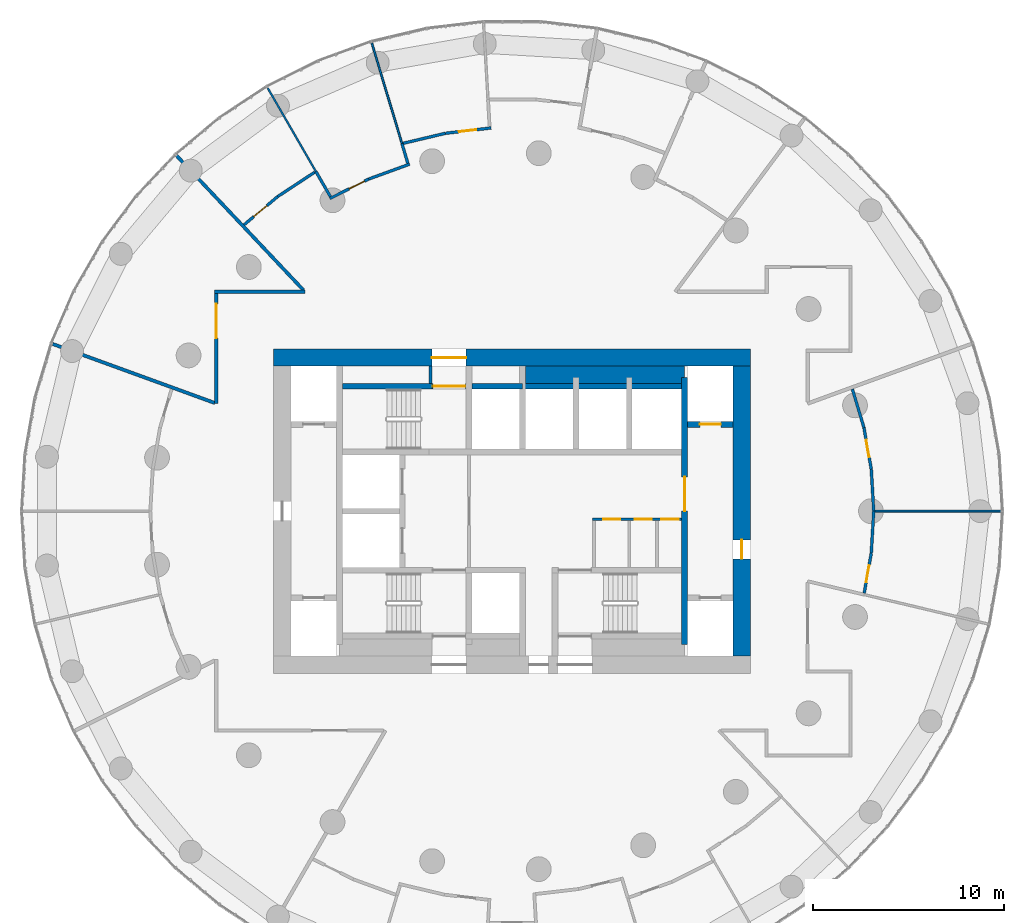
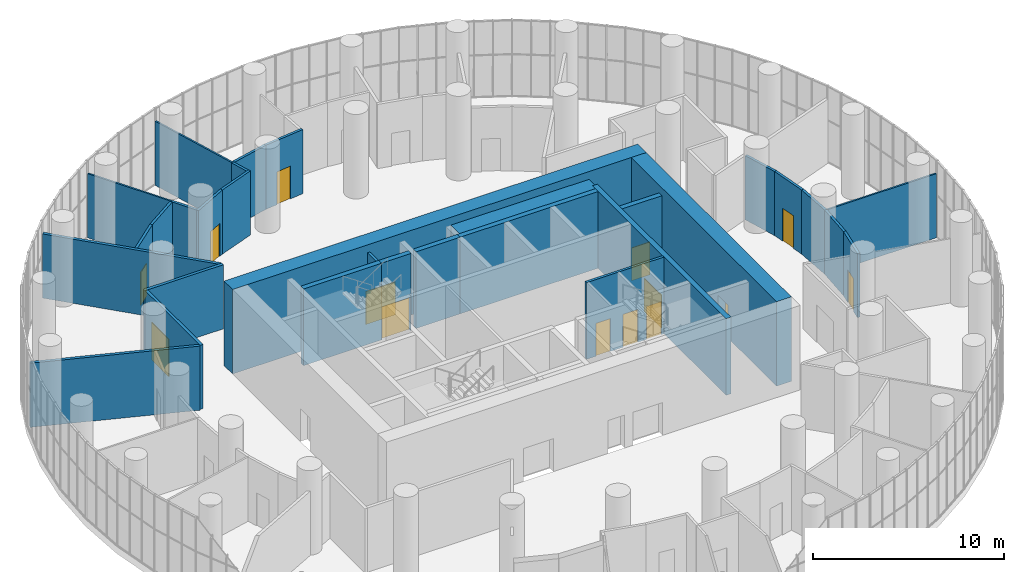
# One storey, part 18 of 21: 31 walls, 14 doors, 14 openings.
"""IFC4 building model written with IfcOpenShell, lengths in metres."""

from ifc_helpers import new_model, si_unit, direction, frame, frame_2d, origin, place, context, subcontext, project, spatial, rectangle, extrude, material, layer, layer_set, type_object, element, fill, save


model = new_model("IFC4")

# Units and contexts
model_context = context("Model", 3, precision=1e-05, world=origin(), true_north=direction((0.0, 1.0)))
body_context = subcontext(model_context, "Body", "Model", "MODEL_VIEW")
ifc_project = project(units=[si_unit("LENGTHUNIT", "METRE"), si_unit("AREAUNIT", "SQUARE_METRE"), si_unit("VOLUMEUNIT", "CUBIC_METRE"), si_unit("PLANEANGLEUNIT", "RADIAN"), si_unit("MASSUNIT", "GRAM", prefix="KILO")], contexts=[model_context])

# Site, building, storey
site_placement = place(None, origin())
site = spatial("IfcSite", under=ifc_project, at=site_placement, CompositionType="ELEMENT")
building_placement = place(site_placement, origin())
building = spatial("IfcBuilding", under=site, at=building_placement, Name="Tracery Tower", CompositionType="ELEMENT")
storey_placement = place(building_placement, frame((0.0, 0.0, 219.60009765625)))
storey = spatial("IfcBuildingStorey", under=building, at=storey_placement, Name="L57", CompositionType="ELEMENT", Elevation=219.60009765625)

# Walls
ifc_material_1 = material(Name="Plasterboard on steel studs", Category="steel")
ifc_layer_1 = layer(ifc_material_1, 0.175048828125)
ifc_layer_set_1 = layer_set([ifc_layer_1], Name="Compartment partition 175")
wall_type_1 = type_object("IfcWallType", Name="Compartment partition 175", PredefinedType="PARTITIONING", material=ifc_layer_set_1)
wall_1_placement = place(storey_placement, frame((-24.081787109375, 8.76513671875, 0.0), z_axis=(0.0, 0.0, 1.0), x_axis=(0.939689290675, -0.342029292591, 0.0)))
element("IfcWall", 1, at=wall_1_placement, inside=storey, type_object=wall_type_1, Name="Compartment partition 175", PredefinedType="PARTITIONING", context=body_context, shape_type="SweptSolid", body=[
    extrude(rectangle(XDim=9.03955078125, YDim=0.175048828125, at=frame_2d((4.519775390625, 0.0))), origin(), (0.0, 0.0, 1.0), 4.099853515625),
])
wall_2_placement = place(storey_placement, frame((-17.586669921875, 18.640625, 0.0), z_axis=(0.0, 0.0, 1.0), x_axis=(0.686237518372, -0.727377528096, 0.0)))
element("IfcWall", 2, at=wall_2_placement, inside=storey, type_object=wall_type_1, Name="Compartment partition 175", PredefinedType="PARTITIONING", context=body_context, shape_type="SweptSolid", body=[
    extrude(rectangle(XDim=9.69677734375, YDim=0.175048828125, at=frame_2d((4.848388671875, 0.0))), origin(), (0.0, 0.0, 1.0), 4.099853515625),
])

# Wall, opening, door
wall_3_placement = place(storey_placement, frame((-15.5, 5.6416015625, 0.0), z_axis=(0.0, 0.0, 1.0), x_axis=(0.0, 1.0, 0.0)))
wall_3 = element("IfcWall", 3, at=wall_3_placement, inside=storey, type_object=wall_type_1, Name="Compartment partition 175", PredefinedType="PARTITIONING", context=body_context, shape_type="SweptSolid", body=[
    extrude(rectangle(XDim=5.77099609375, YDim=0.175048828125, at=frame_2d((2.885498046875, 0.0))), origin(), (0.0, 0.0, 1.0), 4.099853515625),
])
opening_1_placement = place(wall_3_placement, frame((3.42919921875, 0.0, 0.0)))
opening_1 = element("IfcOpeningElement", 4, at=opening_1_placement, cuts=wall_3, Name="Opening SB-L57-10", PredefinedType="OPENING", context=body_context, shape_type="SweptSolid", body=[
    extrude(rectangle(XDim=1.800048828125, YDim=2.39990234375, at=frame_2d((0.89990234375, 1.199951171875))), frame((0.0, 0.08740234375, 0.0), z_axis=(0.0, -1.0, 0.0), x_axis=(1.0, 0.0, 0.0)), (0.0, 0.0, 1.0), 0.175048828125),
])
ifc_material_2 = material(Name="Glazed aluminium door", Category="aluminium")
door_type_1 = type_object("IfcDoorType", Name="Hall double door 1800", OperationType="DOUBLE_DOOR_SINGLE_SWING", PredefinedType="DOOR", material=ifc_material_2)
door_1_placement = place(opening_1_placement, origin())
door_1 = element("IfcDoor", 5, at=door_1_placement, inside=storey, type_object=door_type_1, Name="Hall double door 1800", OperationType="DOUBLE_DOOR_SINGLE_SWING", OverallHeight=2.39990234375, OverallWidth=1.800048828125, PredefinedType="DOOR", context=body_context, shape_type="SweptSolid", body=[
    extrude(rectangle(XDim=1.800048828125, YDim=2.39990234375, at=frame_2d((0.89990234375, 1.199951171875))), frame((0.0, 0.02490234375, 0.0), z_axis=(0.0, -1.0, 0.0), x_axis=(1.0, 0.0, 0.0)), (0.0, 0.0, 1.0), 0.050048828125),
])
fill(opening_1, door_1)

# Walls
wall_4_placement = place(storey_placement, frame((-10.849609375, 11.5, 0.0), z_axis=(0.0, 0.0, 1.0), x_axis=(-1.0, 0.0, 0.0)))
element("IfcWall", 6, at=wall_4_placement, inside=storey, type_object=wall_type_1, Name="Compartment partition 175", PredefinedType="PARTITIONING", context=body_context, shape_type="SweptSolid", body=[
    extrude(rectangle(XDim=4.73779296875, YDim=0.175048828125, at=frame_2d((2.368896484375, 0.0))), origin(), (0.0, 0.0, 1.0), 4.099853515625),
])
ifc_material_3 = material(Name="Plasterboard on steel studs", Category="steel")
ifc_layer_2 = layer(ifc_material_3, 0.14990234375)
ifc_layer_set_2 = layer_set([ifc_layer_2], Name="Core room partition 150")
wall_type_2 = type_object("IfcWallType", Name="Core room partition 150", PredefinedType="SOLIDWALL", material=ifc_layer_set_2)
wall_5_placement = place(storey_placement, frame((-4.27490234375, 6.699951171875, 0.0), z_axis=(0.0, 0.0, 1.0), x_axis=(0.0, 1.0, 0.0)))
element("IfcWall", 7, at=wall_5_placement, inside=storey, type_object=wall_type_2, Name="L57 F N room", PredefinedType="SOLIDWALL", context=body_context, shape_type="SweptSolid", body=[
    extrude(rectangle(XDim=0.900146484375, YDim=0.14990234375, at=frame_2d((0.4501953125, 0.0))), origin(), (0.0, 0.0, 1.0), 4.89990234375),
])

# Wall, openings, doors
wall_6_placement = place(storey_placement, frame((4.22509765625, -0.425048828125, 0.0), z_axis=(0.0, 0.0, 1.0), x_axis=(1.0, 0.0, 0.0)))
wall_6 = element("IfcWall", 8, at=wall_6_placement, inside=storey, type_object=wall_type_2, Name="L57 slot N", PredefinedType="SOLIDWALL", context=body_context, shape_type="SweptSolid", body=[
    extrude(rectangle(XDim=4.6748046875, YDim=0.14990234375, at=frame_2d((2.33740234375, 0.0))), origin(), (0.0, 0.0, 1.0), 4.89990234375),
])
opening_2_placement = place(wall_6_placement, frame((0.550048828125, 0.0, 0.0)))
opening_2 = element("IfcOpeningElement", 9, at=opening_2_placement, cuts=wall_6, Name="Opening KD22", PredefinedType="OPENING", context=body_context, shape_type="SweptSolid", body=[
    extrude(rectangle(XDim=0.89990234375, YDim=2.10009765625, at=frame_2d((0.449951171875, 1.050048828125))), frame((0.0, 0.074951171875, 0.0), z_axis=(0.0, -1.0, 0.0), x_axis=(1.0, 0.0, 0.0)), (0.0, 0.0, 1.0), 0.14990234375),
])
opening_3_placement = place(wall_6_placement, frame((2.199951171875, 0.0, 0.0)))
opening_3 = element("IfcOpeningElement", 10, at=opening_3_placement, cuts=wall_6, Name="Opening KD26", PredefinedType="OPENING", context=body_context, shape_type="SweptSolid", body=[
    extrude(rectangle(XDim=0.89990234375, YDim=2.10009765625, at=frame_2d((0.449951171875, 1.050048828125))), frame((0.0, 0.074951171875, 0.0), z_axis=(0.0, -1.0, 0.0), x_axis=(1.0, 0.0, 0.0)), (0.0, 0.0, 1.0), 0.14990234375),
])
opening_4_placement = place(wall_6_placement, frame((3.612548828125, 0.0, 0.0)))
opening_4 = element("IfcOpeningElement", 11, at=opening_4_placement, cuts=wall_6, Name="Opening KD27", PredefinedType="OPENING", context=body_context, shape_type="SweptSolid", body=[
    extrude(rectangle(XDim=0.89990234375, YDim=2.10009765625, at=frame_2d((0.449951171875, 1.050048828125))), frame((0.0, 0.074951171875, 0.0), z_axis=(0.0, -1.0, 0.0), x_axis=(1.0, 0.0, 0.0)), (0.0, 0.0, 1.0), 0.14990234375),
])
ifc_material_4 = material(Name="Timber door leaf", Category="wood")
door_type_2 = type_object("IfcDoorType", Name="Core WC door 900", OperationType="NOTDEFINED", PredefinedType="DOOR", material=ifc_material_4)
door_2_placement = place(opening_2_placement, origin())
door_2 = element("IfcDoor", 12, at=door_2_placement, inside=storey, type_object=door_type_2, Name="Core door", OperationType="SINGLE_SWING_RIGHT", OverallHeight=2.10009765625, OverallWidth=0.89990234375, PredefinedType="DOOR", context=body_context, shape_type="SweptSolid", body=[
    extrude(rectangle(XDim=0.89990234375, YDim=2.10009765625, at=frame_2d((0.449951171875, 1.050048828125))), frame((0.0, 0.02490234375, 0.0), z_axis=(0.0, -1.0, 0.0), x_axis=(1.0, 0.0, 0.0)), (0.0, 0.0, 1.0), 0.050048828125),
])
fill(opening_2, door_2)
ifc_material_5 = material(Name="Timber door leaf", Category="wood")
door_type_3 = type_object("IfcDoorType", Name="Core store door 900", OperationType="NOTDEFINED", PredefinedType="DOOR", material=ifc_material_5)
door_3_placement = place(opening_3_placement, origin())
door_3 = element("IfcDoor", 13, at=door_3_placement, inside=storey, type_object=door_type_3, Name="Core door", OperationType="SINGLE_SWING_LEFT", OverallHeight=2.10009765625, OverallWidth=0.89990234375, PredefinedType="DOOR", context=body_context, shape_type="SweptSolid", body=[
    extrude(rectangle(XDim=0.89990234375, YDim=2.10009765625, at=frame_2d((0.449951171875, 1.050048828125))), frame((0.0, 0.02490234375, 0.0), z_axis=(0.0, -1.0, 0.0), x_axis=(1.0, 0.0, 0.0)), (0.0, 0.0, 1.0), 0.050048828125),
])
fill(opening_3, door_3)
door_4_placement = place(opening_4_placement, origin())
door_4 = element("IfcDoor", 14, at=door_4_placement, inside=storey, type_object=door_type_3, Name="Core door", OperationType="SINGLE_SWING_RIGHT", OverallHeight=2.10009765625, OverallWidth=0.89990234375, PredefinedType="DOOR", context=body_context, shape_type="SweptSolid", body=[
    extrude(rectangle(XDim=0.89990234375, YDim=2.10009765625, at=frame_2d((0.449951171875, 1.050048828125))), frame((0.0, 0.02490234375, 0.0), z_axis=(0.0, -1.0, 0.0), x_axis=(1.0, 0.0, 0.0)), (0.0, 0.0, 1.0), 0.050048828125),
])
fill(opening_4, door_4)

# Wall
ifc_material_6 = material(Name="Concrete C50/60", Category="concrete")
ifc_layer_3 = layer(ifc_material_6, 0.89990234375)
ifc_layer_set_3 = layer_set([ifc_layer_3], Name="Core strip wall 900 C50")
wall_type_3 = type_object("IfcWallType", Name="Core strip wall 900 C50", PredefinedType="SOLIDWALL", material=ifc_layer_set_3)
wall_7_placement = place(storey_placement, frame((0.699951171875, 7.14990234375, 0.0), z_axis=(0.0, 0.0, 1.0), x_axis=(1.0, 0.0, 0.0)))
element("IfcWall", 15, at=wall_7_placement, inside=storey, type_object=wall_type_3, Name="L57 F thick N E", PredefinedType="SOLIDWALL", context=body_context, shape_type="SweptSolid", body=[
    extrude(rectangle(XDim=8.35009765625, YDim=0.89990234375, at=frame_2d((4.175048828125, 0.0))), origin(), (0.0, 0.0, 1.0), 4.89990234375),
])

# Wall, opening, door
ifc_material_7 = material(Name="Concrete C50/60", Category="concrete")
ifc_layer_4 = layer(ifc_material_7, 0.89990234375)
ifc_layer_set_4 = layer_set([ifc_layer_4], Name="Core wall 900 C50")
wall_type_4 = type_object("IfcWallType", Name="Core wall 900 C50", PredefinedType="SOLIDWALL", material=ifc_layer_set_4)
wall_8_placement = place(storey_placement, frame((-12.5, 8.050048828125, 0.0), z_axis=(0.0, 0.0, 1.0), x_axis=(1.0, 0.0, 0.0)))
wall_8 = element("IfcWall", 16, at=wall_8_placement, inside=storey, type_object=wall_type_4, Name="L57 outer N", PredefinedType="SOLIDWALL", context=body_context, shape_type="SweptSolid", body=[
    extrude(rectangle(XDim=25.0, YDim=0.89990234375, at=frame_2d((12.5, 0.0))), origin(), (0.0, 0.0, 1.0), 5.39990234375),
])
opening_5_placement = place(wall_8_placement, frame((8.300048828125, 0.0, 0.0)))
opening_5 = element("IfcOpeningElement", 17, at=opening_5_placement, cuts=wall_8, Name="Opening KD13", PredefinedType="OPENING", context=body_context, shape_type="SweptSolid", body=[
    extrude(rectangle(XDim=1.800048828125, YDim=2.10009765625, at=frame_2d((0.89990234375, 1.050048828125))), frame((0.0, 0.449951171875, 0.0), z_axis=(0.0, -1.0, 0.0), x_axis=(1.0, 0.0, 0.0)), (0.0, 0.0, 1.0), 0.89990234375),
])
ifc_material_8 = material(Name="Steel fire door", Category="steel")
door_type_4 = type_object("IfcDoorType", Name="Core exit door 1800 double", OperationType="NOTDEFINED", PredefinedType="DOOR", material=ifc_material_8)
door_5_placement = place(opening_5_placement, origin())
door_5 = element("IfcDoor", 18, at=door_5_placement, inside=storey, type_object=door_type_4, Name="Core exit door", OperationType="DOUBLE_DOOR_SINGLE_SWING", OverallHeight=2.10009765625, OverallWidth=1.800048828125, PredefinedType="DOOR", context=body_context, shape_type="SweptSolid", body=[
    extrude(rectangle(XDim=1.800048828125, YDim=2.10009765625, at=frame_2d((0.89990234375, 1.050048828125))), frame((0.0, 0.02490234375, 0.0), z_axis=(0.0, -1.0, 0.0), x_axis=(1.0, 0.0, 0.0)), (0.0, 0.0, 1.0), 0.050048828125),
])
fill(opening_5, door_5)

wall_9_placement = place(storey_placement, frame((12.050048828125, -7.60009765625, 0.0), z_axis=(0.0, 0.0, 1.0), x_axis=(0.0, 1.0, 0.0)))
wall_9 = element("IfcWall", 19, at=wall_9_placement, inside=storey, type_object=wall_type_4, Name="L57 outer E", PredefinedType="SOLIDWALL", context=body_context, shape_type="SweptSolid", body=[
    extrude(rectangle(XDim=15.2001953125, YDim=0.89990234375, at=frame_2d((7.60009765625, 0.0))), origin(), (0.0, 0.0, 1.0), 5.39990234375),
])
opening_6_placement = place(wall_9_placement, frame((5.10009765625, 0.0, 0.0)))
opening_6 = element("IfcOpeningElement", 20, at=opening_6_placement, cuts=wall_9, Name="Opening KD18", PredefinedType="OPENING", context=body_context, shape_type="SweptSolid", body=[
    extrude(rectangle(XDim=1.0, YDim=2.10009765625, at=frame_2d((0.5, 1.050048828125))), frame((0.0, 0.449951171875, 0.0), z_axis=(0.0, -1.0, 0.0), x_axis=(1.0, 0.0, 0.0)), (0.0, 0.0, 1.0), 0.89990234375),
])
ifc_material_9 = material(Name="Steel fire door", Category="steel")
door_type_5 = type_object("IfcDoorType", Name="Core exit door 1000", OperationType="NOTDEFINED", PredefinedType="DOOR", material=ifc_material_9)
door_6_placement = place(opening_6_placement, origin())
door_6 = element("IfcDoor", 21, at=door_6_placement, inside=storey, type_object=door_type_5, Name="Core exit door", OperationType="DOUBLE_DOOR_SINGLE_SWING", OverallHeight=2.10009765625, OverallWidth=1.0, PredefinedType="DOOR", context=body_context, shape_type="SweptSolid", body=[
    extrude(rectangle(XDim=1.0, YDim=2.10009765625, at=frame_2d((0.5, 1.050048828125))), frame((0.0, 0.02490234375, 0.0), z_axis=(0.0, -1.0, 0.0), x_axis=(1.0, 0.0, 0.0)), (0.0, 0.0, 1.0), 0.050048828125),
])
fill(opening_6, door_6)

ifc_material_10 = material(Name="Plasterboard on steel studs", Category="steel")
ifc_layer_5 = layer(ifc_material_10, 0.14990234375)
ifc_layer_set_5 = layer_set([ifc_layer_5], Name="Corridor partition 150")
wall_type_5 = type_object("IfcWallType", Name="Corridor partition 150", PredefinedType="PARTITIONING", material=ifc_layer_set_5)
wall_10_placement = place(storey_placement, frame((-14.04638671875, 15.018798828125, 0.0), z_axis=(0.0, 0.0, 1.0), x_axis=(0.765982646315, 0.642861249061, 0.0)))
wall_10 = element("IfcWall", 22, at=wall_10_placement, inside=storey, type_object=wall_type_5, Name="Corridor partition 150", PredefinedType="PARTITIONING", context=body_context, shape_type="SweptSolid", body=[
    extrude(rectangle(XDim=2.30224609375, YDim=0.14990234375, at=frame_2d((1.151123046875, 0.0))), origin(), (0.0, 0.0, 1.0), 4.099853515625),
])
opening_7_placement = place(wall_10_placement, frame((0.65625, 0.0, 0.0)))
opening_7 = element("IfcOpeningElement", 23, at=opening_7_placement, cuts=wall_10, Name="Opening SB-L57-07", PredefinedType="OPENING", context=body_context, shape_type="SweptSolid", body=[
    extrude(rectangle(XDim=0.89990234375, YDim=2.10009765625, at=frame_2d((0.449951171875, 1.050048828125))), frame((0.0, 0.074951171875, 0.0), z_axis=(0.0, -1.0, 0.0), x_axis=(1.0, 0.0, 0.0)), (0.0, 0.0, 1.0), 0.14990234375),
])
ifc_material_11 = material(Name="Steel fire door", Category="steel")
door_type_6 = type_object("IfcDoorType", Name="Store door 900", OperationType="NOTDEFINED", PredefinedType="DOOR", material=ifc_material_11)
door_7_placement = place(opening_7_placement, origin())
door_7 = element("IfcDoor", 24, at=door_7_placement, inside=storey, type_object=door_type_6, Name="Store door 900", OperationType="SINGLE_SWING_RIGHT", OverallHeight=2.10009765625, OverallWidth=0.89990234375, PredefinedType="DOOR", context=body_context, shape_type="SweptSolid", body=[
    extrude(rectangle(XDim=0.89990234375, YDim=2.10009765625, at=frame_2d((0.449951171875, 1.050048828125))), frame((0.0, 0.02490234375, 0.0), z_axis=(0.0, -1.0, 0.0), x_axis=(1.0, 0.0, 0.0)), (0.0, 0.0, 1.0), 0.050048828125),
])
fill(opening_7, door_7)

# Walls
wall_11_placement = place(storey_placement, frame((-10.34716796875, 17.771728515625, 0.0), z_axis=(0.0, 0.0, 1.0), x_axis=(-0.835535478461, -0.549436496998, 0.0)))
element("IfcWall", 25, at=wall_11_placement, inside=storey, type_object=wall_type_5, Name="Corridor partition 150", PredefinedType="PARTITIONING", context=body_context, shape_type="SweptSolid", body=[
    extrude(rectangle(XDim=2.31689453125, YDim=0.14990234375, at=frame_2d((1.158447265625, 0.0))), origin(), (0.0, 0.0, 1.0), 4.099853515625),
])
wall_12_placement = place(storey_placement, frame((-10.284423828125, 17.81298828125, 0.0), z_axis=(0.0, 0.0, 1.0), x_axis=(0.500109828528, -0.865961984968, 0.0)))
element("IfcWall", 26, at=wall_12_placement, inside=storey, type_object=wall_type_5, Name="Corridor partition 150", PredefinedType="PARTITIONING", context=body_context, shape_type="SweptSolid", body=[
    extrude(rectangle(XDim=1.527587890625, YDim=0.14990234375, at=frame_2d((0.763671875, 0.0))), origin(), (0.0, 0.0, 1.0), 4.099853515625),
])

# Wall, opening, door
wall_13_placement = place(storey_placement, frame((-9.550048828125, 16.3916015625, 0.0), z_axis=(0.0, 0.0, 1.0), x_axis=(0.89363354022, 0.448797388355, 0.0)))
wall_13 = element("IfcWall", 27, at=wall_13_placement, inside=storey, type_object=wall_type_5, Name="Corridor partition 150", PredefinedType="PARTITIONING", context=body_context, shape_type="SweptSolid", body=[
    extrude(rectangle(XDim=2.280517578125, YDim=0.14990234375, at=frame_2d((1.14013671875, 0.0))), origin(), (0.0, 0.0, 1.0), 4.099853515625),
])
opening_8_placement = place(wall_13_placement, frame((1.127685546875, 0.0, 0.0)))
opening_8 = element("IfcOpeningElement", 28, at=opening_8_placement, cuts=wall_13, Name="Opening SB-L57-06", PredefinedType="OPENING", context=body_context, shape_type="SweptSolid", body=[
    extrude(rectangle(XDim=0.89990234375, YDim=2.10009765625, at=frame_2d((0.449951171875, 1.050048828125))), frame((0.0, 0.074951171875, 0.0), z_axis=(0.0, -1.0, 0.0), x_axis=(1.0, 0.0, 0.0)), (0.0, 0.0, 1.0), 0.14990234375),
])
ifc_material_12 = material(Name="Timber door leaf", Category="wood")
door_type_7 = type_object("IfcDoorType", Name="Room door 900", OperationType="NOTDEFINED", PredefinedType="DOOR", material=ifc_material_12)
door_8_placement = place(opening_8_placement, origin())
door_8 = element("IfcDoor", 29, at=door_8_placement, inside=storey, type_object=door_type_7, Name="Room door 900", OperationType="SINGLE_SWING_RIGHT", OverallHeight=2.10009765625, OverallWidth=0.89990234375, PredefinedType="DOOR", context=body_context, shape_type="SweptSolid", body=[
    extrude(rectangle(XDim=0.89990234375, YDim=2.10009765625, at=frame_2d((0.449951171875, 1.050048828125))), frame((0.0, 0.02490234375, 0.0), z_axis=(0.0, -1.0, 0.0), x_axis=(1.0, 0.0, 0.0)), (0.0, 0.0, 1.0), 0.050048828125),
])
fill(opening_8, door_8)

# Walls
wall_14_placement = place(storey_placement, frame((-5.77001953125, 19.27294921875, 0.0), z_axis=(0.0, 0.0, 1.0), x_axis=(0.286765504135, -0.9580008067, 0.0)))
element("IfcWall", 30, at=wall_14_placement, inside=storey, type_object=wall_type_5, Name="Corridor partition 150", PredefinedType="PARTITIONING", context=body_context, shape_type="SweptSolid", body=[
    extrude(rectangle(XDim=1.076904296875, YDim=0.14990234375, at=frame_2d((0.53857421875, 0.0))), origin(), (0.0, 0.0, 1.0), 4.099853515625),
])
wall_15_placement = place(storey_placement, frame((-5.369140625, 18.195068359375, 0.0), z_axis=(0.0, 0.0, 1.0), x_axis=(-0.939690237033, -0.342026692563, 0.0)))
element("IfcWall", 31, at=wall_15_placement, inside=storey, type_object=wall_type_5, Name="Corridor partition 150", PredefinedType="PARTITIONING", context=body_context, shape_type="SweptSolid", body=[
    extrude(rectangle(XDim=2.280517578125, YDim=0.14990234375, at=frame_2d((1.14013671875, 0.0))), origin(), (0.0, 0.0, 1.0), 4.099853515625),
])
wall_16_placement = place(storey_placement, frame((-3.493408203125, 19.8125, 0.0), z_axis=(0.0, 0.0, 1.0), x_axis=(-0.973044006673, -0.23061951582, 0.0)))
element("IfcWall", 32, at=wall_16_placement, inside=storey, type_object=wall_type_5, Name="Corridor partition 150", PredefinedType="PARTITIONING", context=body_context, shape_type="SweptSolid", body=[
    extrude(rectangle(XDim=2.264404296875, YDim=0.14990234375, at=frame_2d((1.13232421875, 0.0))), origin(), (0.0, 0.0, 1.0), 4.099853515625),
])

# Wall, opening, door
wall_17_placement = place(storey_placement, frame((-3.493408203125, 19.8125, 0.0), z_axis=(0.0, 0.0, 1.0), x_axis=(0.993240036969, 0.116078546517, 0.0)))
wall_17 = element("IfcWall", 33, at=wall_17_placement, inside=storey, type_object=wall_type_5, Name="Corridor partition 150", PredefinedType="PARTITIONING", context=body_context, shape_type="SweptSolid", body=[
    extrude(rectangle(XDim=2.41455078125, YDim=0.14990234375, at=frame_2d((1.207275390625, 0.0))), origin(), (0.0, 0.0, 1.0), 4.099853515625),
])
opening_9_placement = place(wall_17_placement, frame((0.7197265625, 0.0, 0.0)))
opening_9 = element("IfcOpeningElement", 34, at=opening_9_placement, cuts=wall_17, Name="Opening SB-L57-05", PredefinedType="OPENING", context=body_context, shape_type="SweptSolid", body=[
    extrude(rectangle(XDim=0.89990234375, YDim=2.10009765625, at=frame_2d((0.449951171875, 1.050048828125))), frame((0.0, 0.074951171875, 0.0), z_axis=(0.0, -1.0, 0.0), x_axis=(1.0, 0.0, 0.0)), (0.0, 0.0, 1.0), 0.14990234375),
])
door_9_placement = place(opening_9_placement, origin())
door_9 = element("IfcDoor", 35, at=door_9_placement, inside=storey, type_object=door_type_6, Name="Store door 900", OperationType="SINGLE_SWING_RIGHT", OverallHeight=2.10009765625, OverallWidth=0.89990234375, PredefinedType="DOOR", context=body_context, shape_type="SweptSolid", body=[
    extrude(rectangle(XDim=0.89990234375, YDim=2.10009765625, at=frame_2d((0.449951171875, 1.050048828125))), frame((0.0, 0.02490234375, 0.0), z_axis=(0.0, -1.0, 0.0), x_axis=(1.0, 0.0, 0.0)), (0.0, 0.0, 1.0), 0.050048828125),
])
fill(opening_9, door_9)

wall_18_placement = place(storey_placement, frame((18.837890625, -2.201904296875, 0.0), z_axis=(0.0, 0.0, 1.0), x_axis=(-0.173628421176, -0.98481123641, 0.0)))
wall_18 = element("IfcWall", 36, at=wall_18_placement, inside=storey, type_object=wall_type_5, Name="Corridor partition 150", PredefinedType="PARTITIONING", context=body_context, shape_type="SweptSolid", body=[
    extrude(rectangle(XDim=2.13037109375, YDim=0.14990234375, at=frame_2d((1.065185546875, 0.0))), origin(), (0.0, 0.0, 1.0), 4.099853515625),
])
opening_10_placement = place(wall_18_placement, frame((0.65283203125, 0.0, 0.0)))
opening_10 = element("IfcOpeningElement", 37, at=opening_10_placement, cuts=wall_18, Name="Opening SB-L57-22", PredefinedType="OPENING", context=body_context, shape_type="SweptSolid", body=[
    extrude(rectangle(XDim=0.89990234375, YDim=2.10009765625, at=frame_2d((0.449951171875, 1.050048828125))), frame((0.0, 0.074951171875, 0.0), z_axis=(0.0, -1.0, 0.0), x_axis=(1.0, 0.0, 0.0)), (0.0, 0.0, 1.0), 0.14990234375),
])
door_10_placement = place(opening_10_placement, origin())
door_10 = element("IfcDoor", 38, at=door_10_placement, inside=storey, type_object=door_type_7, Name="Room door 900", OperationType="SINGLE_SWING_RIGHT", OverallHeight=2.10009765625, OverallWidth=0.89990234375, PredefinedType="DOOR", context=body_context, shape_type="SweptSolid", body=[
    extrude(rectangle(XDim=0.89990234375, YDim=2.10009765625, at=frame_2d((0.449951171875, 1.050048828125))), frame((0.0, 0.02490234375, 0.0), z_axis=(0.0, -1.0, 0.0), x_axis=(1.0, 0.0, 0.0)), (0.0, 0.0, 1.0), 0.050048828125),
])
fill(opening_10, door_10)

# Walls
wall_19_placement = place(storey_placement, frame((18.454833984375, 4.373779296875, 0.0), z_axis=(0.0, 0.0, 1.0), x_axis=(-0.286754978778, 0.95800395727, 0.0)))
element("IfcWall", 39, at=wall_19_placement, inside=storey, type_object=wall_type_5, Name="Corridor partition 150", PredefinedType="PARTITIONING", context=body_context, shape_type="SweptSolid", body=[
    extrude(rectangle(XDim=2.11572265625, YDim=0.14990234375, at=frame_2d((1.057861328125, 0.0))), origin(), (0.0, 0.0, 1.0), 4.099853515625),
])
wall_20_placement = place(storey_placement, frame((18.837890625, -2.201904296875, 0.0), z_axis=(0.0, 0.0, 1.0), x_axis=(0.058112072782, 0.998310065559, 0.0)))
element("IfcWall", 40, at=wall_20_placement, inside=storey, type_object=wall_type_5, Name="Corridor partition 150", PredefinedType="PARTITIONING", context=body_context, shape_type="SweptSolid", body=[
    extrude(rectangle(XDim=2.20556640625, YDim=0.14990234375, at=frame_2d((1.102783203125, 0.0))), origin(), (0.0, 0.0, 1.0), 4.099853515625),
])

# Wall, opening, door
wall_21_placement = place(storey_placement, frame((18.454833984375, 4.373779296875, 0.0), z_axis=(0.0, 0.0, 1.0), x_axis=(0.173690605338, -0.984800270927, 0.0)))
wall_21 = element("IfcWall", 41, at=wall_21_placement, inside=storey, type_object=wall_type_5, Name="Corridor partition 150", PredefinedType="PARTITIONING", context=body_context, shape_type="SweptSolid", body=[
    extrude(rectangle(XDim=2.205322265625, YDim=0.14990234375, at=frame_2d((1.1025390625, 0.0))), origin(), (0.0, 0.0, 1.0), 4.099853515625),
])
opening_11_placement = place(wall_21_placement, frame((0.65283203125, 0.0, 0.0)))
opening_11 = element("IfcOpeningElement", 42, at=opening_11_placement, cuts=wall_21, Name="Opening SB-L57-23", PredefinedType="OPENING", context=body_context, shape_type="SweptSolid", body=[
    extrude(rectangle(XDim=0.89990234375, YDim=2.10009765625, at=frame_2d((0.449951171875, 1.050048828125))), frame((0.0, 0.074951171875, 0.0), z_axis=(0.0, -1.0, 0.0), x_axis=(1.0, 0.0, 0.0)), (0.0, 0.0, 1.0), 0.14990234375),
])
door_11_placement = place(opening_11_placement, origin())
door_11 = element("IfcDoor", 43, at=door_11_placement, inside=storey, type_object=door_type_7, Name="Room door 900", OperationType="SINGLE_SWING_RIGHT", OverallHeight=2.10009765625, OverallWidth=0.89990234375, PredefinedType="DOOR", context=body_context, shape_type="SweptSolid", body=[
    extrude(rectangle(XDim=0.89990234375, YDim=2.10009765625, at=frame_2d((0.449951171875, 1.050048828125))), frame((0.0, 0.02490234375, 0.0), z_axis=(0.0, -1.0, 0.0), x_axis=(1.0, 0.0, 0.0)), (0.0, 0.0, 1.0), 0.050048828125),
])
fill(opening_11, door_11)

# Wall
wall_22_placement = place(storey_placement, frame((18.966064453125, 0.0, 0.0), z_axis=(0.0, 0.0, 1.0), x_axis=(-0.058112072782, 0.998310065559, 0.0)))
element("IfcWall", 44, at=wall_22_placement, inside=storey, type_object=wall_type_5, Name="Corridor partition 150", PredefinedType="PARTITIONING", context=body_context, shape_type="SweptSolid", body=[
    extrude(rectangle(XDim=2.20556640625, YDim=0.14990234375, at=frame_2d((1.102783203125, 0.0))), origin(), (0.0, 0.0, 1.0), 4.099853515625),
])

# Wall, opening, door
ifc_material_13 = material(Name="Concrete C50/60", Category="concrete")
ifc_layer_6 = layer(ifc_material_13, 0.300048828125)
ifc_layer_set_6 = layer_set([ifc_layer_6], Name="Shaft wall 300 C50")
wall_type_6 = type_object("IfcWallType", Name="Shaft wall 300 C50", PredefinedType="SOLIDWALL", material=ifc_layer_set_6)
wall_23_placement = place(storey_placement, frame((9.199951171875, 4.550048828125, 0.0), z_axis=(0.0, 0.0, 1.0), x_axis=(1.0, 0.0, 0.0)))
wall_23 = element("IfcWall", 45, at=wall_23_placement, inside=storey, type_object=wall_type_6, Name="L57 MR E +4.55", PredefinedType="SOLIDWALL", context=body_context, shape_type="SweptSolid", body=[
    extrude(rectangle(XDim=2.400146484375, YDim=0.300048828125, at=frame_2d((1.2001953125, 0.0))), origin(), (0.0, 0.0, 1.0), 4.89990234375),
])
opening_12_placement = place(wall_23_placement, frame((0.64990234375, 0.0, 0.0)))
opening_12 = element("IfcOpeningElement", 46, at=opening_12_placement, cuts=wall_23, Name="Opening KD49", PredefinedType="OPENING", context=body_context, shape_type="SweptSolid", body=[
    extrude(rectangle(XDim=1.10009765625, YDim=2.10009765625, at=frame_2d((0.550048828125, 1.050048828125))), frame((0.0, 0.14990234375, 0.0), z_axis=(0.0, -1.0, 0.0), x_axis=(1.0, 0.0, 0.0)), (0.0, 0.0, 1.0), 0.300048828125),
])
ifc_material_14 = material(Name="Steel fire door", Category="steel")
door_type_8 = type_object("IfcDoorType", Name="Landing door 1100", OperationType="NOTDEFINED", PredefinedType="DOOR", material=ifc_material_14)
door_12_placement = place(opening_12_placement, origin())
door_12 = element("IfcDoor", 47, at=door_12_placement, inside=storey, type_object=door_type_8, Name="Landing door MR4", OperationType="SLIDING_TO_LEFT", OverallHeight=2.10009765625, OverallWidth=1.10009765625, PredefinedType="DOOR", context=body_context, shape_type="SweptSolid", body=[
    extrude(rectangle(XDim=1.10009765625, YDim=2.10009765625, at=frame_2d((0.550048828125, 1.050048828125))), frame((0.0, 0.02490234375, 0.0), z_axis=(0.0, -1.0, 0.0), x_axis=(1.0, 0.0, 0.0)), (0.0, 0.0, 1.0), 0.050048828125),
])
fill(opening_12, door_12)

ifc_material_15 = material(Name="Concrete C50/60", Category="concrete")
ifc_layer_7 = layer(ifc_material_15, 0.300048828125)
ifc_layer_set_7 = layer_set([ifc_layer_7], Name="Stair wall 300 C50")
wall_type_7 = type_object("IfcWallType", Name="Stair wall 300 C50", PredefinedType="SOLIDWALL", material=ifc_layer_set_7)
wall_24_placement = place(storey_placement, frame((9.050048828125, -7.0, 0.0), z_axis=(0.0, 0.0, 1.0), x_axis=(0.0, 1.0, 0.0)))
wall_24 = element("IfcWall", 48, at=wall_24_placement, inside=storey, type_object=wall_type_7, Name="L57 F wall +9", PredefinedType="SOLIDWALL", context=body_context, shape_type="SweptSolid", body=[
    extrude(rectangle(XDim=14.0, YDim=0.300048828125, at=frame_2d((7.0, 0.0))), origin(), (0.0, 0.0, 1.0), 4.89990234375),
])
opening_13_placement = place(wall_24_placement, frame((7.0, 0.0, 0.0)))
opening_13 = element("IfcOpeningElement", 49, at=opening_13_placement, cuts=wall_24, Name="Opening KD13", PredefinedType="OPENING", context=body_context, shape_type="SweptSolid", body=[
    extrude(rectangle(XDim=1.800048828125, YDim=2.10009765625, at=frame_2d((0.89990234375, 1.050048828125))), frame((0.0, 0.14990234375, 0.0), z_axis=(0.0, -1.0, 0.0), x_axis=(1.0, 0.0, 0.0)), (0.0, 0.0, 1.0), 0.300048828125),
])
door_13_placement = place(opening_13_placement, origin())
door_13 = element("IfcDoor", 50, at=door_13_placement, inside=storey, type_object=door_type_4, Name="Core exit door", OperationType="DOUBLE_DOOR_SINGLE_SWING", OverallHeight=2.10009765625, OverallWidth=1.800048828125, PredefinedType="DOOR", context=body_context, shape_type="SweptSolid", body=[
    extrude(rectangle(XDim=1.800048828125, YDim=2.10009765625, at=frame_2d((0.89990234375, 1.050048828125))), frame((0.0, 0.02490234375, 0.0), z_axis=(0.0, -1.0, 0.0), x_axis=(1.0, 0.0, 0.0)), (0.0, 0.0, 1.0), 0.050048828125),
])
fill(opening_13, door_13)

# Wall
wall_25_placement = place(storey_placement, frame((-8.89990234375, 6.550048828125, 0.0), z_axis=(0.0, 0.0, 1.0), x_axis=(1.0, 0.0, 0.0)))
element("IfcWall", 51, at=wall_25_placement, inside=storey, type_object=wall_type_7, Name="L57 F N W", PredefinedType="SOLIDWALL", context=body_context, shape_type="SweptSolid", body=[
    extrude(rectangle(XDim=4.699951171875, YDim=0.300048828125, at=frame_2d((2.35009765625, 0.0))), origin(), (0.0, 0.0, 1.0), 4.89990234375),
])

# Wall, opening, door
wall_26_placement = place(storey_placement, frame((-4.199951171875, 6.550048828125, 0.0), z_axis=(0.0, 0.0, 1.0), x_axis=(1.0, 0.0, 0.0)))
wall_26 = element("IfcWall", 52, at=wall_26_placement, inside=storey, type_object=wall_type_7, Name="L57 F stair N", PredefinedType="SOLIDWALL", context=body_context, shape_type="SweptSolid", body=[
    extrude(rectangle(XDim=1.800048828125, YDim=0.300048828125, at=frame_2d((0.89990234375, 0.0))), origin(), (0.0, 0.0, 1.0), 4.89990234375),
])
opening_14_placement = place(wall_26_placement, frame((0.050048828125, 0.0, 0.0)))
opening_14 = element("IfcOpeningElement", 53, at=opening_14_placement, cuts=wall_26, Name="Opening KD3", PredefinedType="OPENING", context=body_context, shape_type="SweptSolid", body=[
    extrude(rectangle(XDim=1.699951171875, YDim=2.10009765625, at=frame_2d((0.85009765625, 1.050048828125))), frame((0.0, 0.14990234375, 0.0), z_axis=(0.0, -1.0, 0.0), x_axis=(1.0, 0.0, 0.0)), (0.0, 0.0, 1.0), 0.300048828125),
])
ifc_material_16 = material(Name="Steel fire door", Category="steel")
door_type_9 = type_object("IfcDoorType", Name="Core stair door 1700 double", OperationType="NOTDEFINED", PredefinedType="DOOR", material=ifc_material_16)
door_14_placement = place(opening_14_placement, origin())
door_14 = element("IfcDoor", 54, at=door_14_placement, inside=storey, type_object=door_type_9, Name="Stair door vest", OperationType="DOUBLE_DOOR_SINGLE_SWING", OverallHeight=2.10009765625, OverallWidth=1.699951171875, PredefinedType="DOOR", context=body_context, shape_type="SweptSolid", body=[
    extrude(rectangle(XDim=1.699951171875, YDim=2.10009765625, at=frame_2d((0.85009765625, 1.050048828125))), frame((0.0, 0.02490234375, 0.0), z_axis=(0.0, -1.0, 0.0), x_axis=(1.0, 0.0, 0.0)), (0.0, 0.0, 1.0), 0.050048828125),
])
fill(opening_14, door_14)

# Walls
wall_27_placement = place(storey_placement, frame((-2.10009765625, 6.550048828125, 0.0), z_axis=(0.0, 0.0, 1.0), x_axis=(1.0, 0.0, 0.0)))
element("IfcWall", 55, at=wall_27_placement, inside=storey, type_object=wall_type_7, Name="L57 F N E1", PredefinedType="SOLIDWALL", context=body_context, shape_type="SweptSolid", body=[
    extrude(rectangle(XDim=2.650146484375, YDim=0.300048828125, at=frame_2d((1.3251953125, 0.0))), origin(), (0.0, 0.0, 1.0), 4.89990234375),
])
wall_28_placement = place(storey_placement, frame((0.550048828125, 6.550048828125, 0.0), z_axis=(0.0, 0.0, 1.0), x_axis=(1.0, 0.0, 0.0)))
element("IfcWall", 56, at=wall_28_placement, inside=storey, type_object=wall_type_7, Name="L57 F stair strip N E", PredefinedType="SOLIDWALL", context=body_context, shape_type="SweptSolid", body=[
    extrude(rectangle(XDim=8.349853515625, YDim=0.300048828125, at=frame_2d((4.1748046875, 0.0))), origin(), (0.0, 0.0, 1.0), 4.89990234375),
])
ifc_material_17 = material(Name="Plasterboard on steel studs", Category="steel")
ifc_layer_8 = layer(ifc_material_17, 0.10009765625)
ifc_layer_set_8 = layer_set([ifc_layer_8], Name="Stud partition 100")
wall_type_8 = type_object("IfcWallType", Name="Stud partition 100", PredefinedType="PARTITIONING", material=ifc_layer_set_8)
wall_29_placement = place(storey_placement, frame((-12.813720703125, 22.194091796875, 0.0), z_axis=(0.0, 0.0, 1.0), x_axis=(0.499980071345, -0.866036909293, 0.0)))
element("IfcWall", 57, at=wall_29_placement, inside=storey, type_object=wall_type_8, Name="Stud partition 100", PredefinedType="PARTITIONING", context=body_context, shape_type="SweptSolid", body=[
    extrude(rectangle(XDim=5.058837890625, YDim=0.10009765625, at=frame_2d((2.529296875, 0.0))), origin(), (0.0, 0.0, 1.0), 4.099853515625),
])
wall_30_placement = place(storey_placement, frame((-7.35009765625, 24.55078125, 0.0), z_axis=(0.0, 0.0, 1.0), x_axis=(0.286803056063, -0.9579895652, 0.0)))
element("IfcWall", 58, at=wall_30_placement, inside=storey, type_object=wall_type_8, Name="Stud partition 100", PredefinedType="PARTITIONING", context=body_context, shape_type="SweptSolid", body=[
    extrude(rectangle(XDim=5.50927734375, YDim=0.10009765625, at=frame_2d((2.754638671875, 0.0))), origin(), (0.0, 0.0, 1.0), 4.099853515625),
])
wall_31_placement = place(storey_placement, frame((25.62744140625, 0.0, 0.0), z_axis=(0.0, 0.0, 1.0), x_axis=(-1.0, 0.0, 0.0)))
element("IfcWall", 59, at=wall_31_placement, inside=storey, type_object=wall_type_8, Name="Stud partition 100", PredefinedType="PARTITIONING", context=body_context, shape_type="SweptSolid", body=[
    extrude(rectangle(XDim=6.586181640625, YDim=0.10009765625, at=frame_2d((3.29296875, 0.0))), origin(), (0.0, 0.0, 1.0), 4.099853515625),
])

save(model, "model.ifc")
